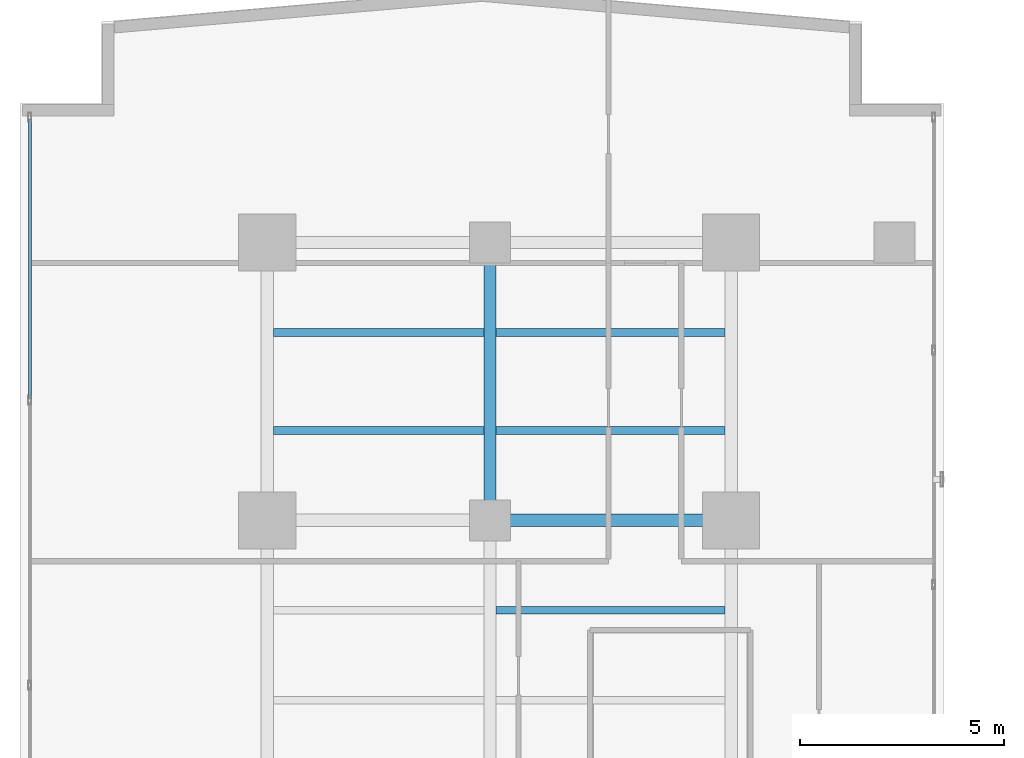
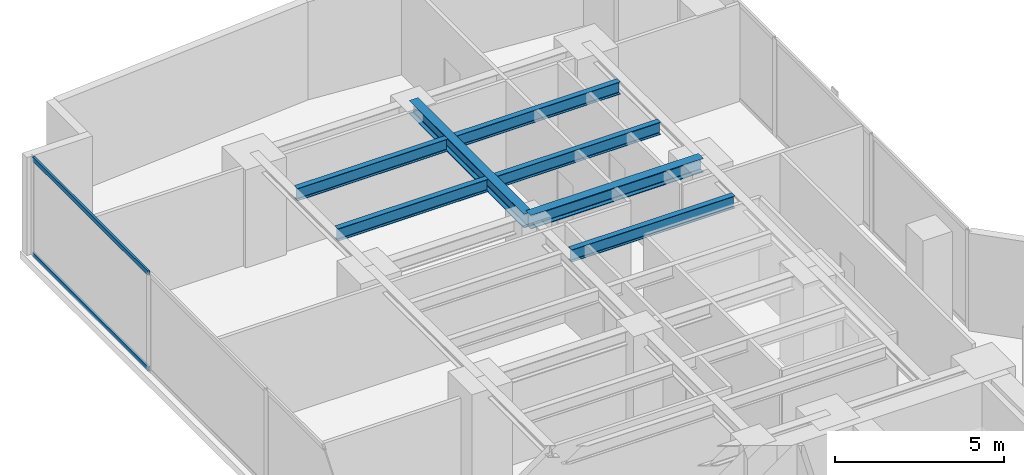
# One storey, part 15 of 26: 7 beams, 2 members, 1 element without a shape of its own.
"""IFC4 building model written with IfcOpenShell, lengths in metres."""

from ifc_helpers import new_model, si_unit, direction, frame, origin, origin_with_axes, origin_2d, place, context, subcontext, project, spatial, hollow_rectangle, i_section, extrude, source, transform, mapped, material, layer, layer_set, material_profile, profile_set, type_object, element, aggregate, save


model = new_model("IFC4")

# Units and contexts
model_context = context("Model", 3, precision=1e-05, world=origin(), true_north=direction((0.0, 1.0)))
body_context = subcontext(model_context, "Body", "Model", "MODEL_VIEW")
ifc_project = project(units=[si_unit("LENGTHUNIT", "METRE"), si_unit("AREAUNIT", "SQUARE_METRE"), si_unit("VOLUMEUNIT", "CUBIC_METRE"), si_unit("PLANEANGLEUNIT", "RADIAN"), si_unit("MASSUNIT", "GRAM", prefix="KILO")], contexts=[model_context])

# Site, building, storey
site_placement = place(None, origin())
site = spatial("IfcSite", under=ifc_project, at=site_placement, CompositionType="ELEMENT")
building_placement = place(site_placement, origin())
building = spatial("IfcBuilding", under=site, at=building_placement, Name="Kolvaren Waterfront Exchange", CompositionType="ELEMENT")
storey_placement = place(building_placement, frame((0.0, 0.0, 122.10009765625)))
storey = spatial("IfcBuildingStorey", under=building, at=storey_placement, Name="L31", CompositionType="ELEMENT", Elevation=122.10009765625)

# Beams
ifc_material_1 = material(Name="Steel S355", Category="steel")
ifc_material_profile_1 = material_profile(ifc_material_1, i_section(OverallWidth=0.300048828125, OverallDepth=0.5, WebThickness=0.014404296875, FlangeThickness=0.028076171875, FilletRadius=0.027099609375, at=origin_2d()), Name="HEB500")
ifc_profile_set_1 = profile_set([ifc_material_profile_1], Name="Steel S355")
beam_type_1 = type_object("IfcBeamType", Name="STR-BM-HEB500", PredefinedType="BEAM", material=ifc_profile_set_1)
beam_1_placement = place(storey_placement, frame((12.89990234375, 37.800048828125, 3.289794921875), z_axis=(1.0, 0.0, 0.0), x_axis=(0.0, 1.0, 0.0)))
element("IfcBeam", 1, at=beam_1_placement, inside=storey, type_object=beam_type_1, Name="L31 north-arm girder 3B", PredefinedType="BEAM", context=body_context, shape_type="SweptSolid", body=[
    extrude(i_section(OverallWidth=0.300048828125, OverallDepth=0.5, WebThickness=0.014404296875, FlangeThickness=0.028076171875, FilletRadius=0.027099609375, at=origin_2d()), origin(), (0.0, 0.0, 1.0), 5.900146484375),
])
beam_2_placement = place(storey_placement, frame((12.89990234375, 37.800048828125, 3.289794921875), z_axis=(0.0, 1.0, 0.0), x_axis=(-1.0, 0.0, 0.0)))
element("IfcBeam", 2, at=beam_2_placement, inside=storey, type_object=beam_type_1, Name="L31 north-arm edge beam 3", PredefinedType="BEAM", context=body_context, shape_type="SweptSolid", body=[
    extrude(i_section(OverallWidth=0.300048828125, OverallDepth=0.5, WebThickness=0.014404296875, FlangeThickness=0.028076171875, FilletRadius=0.027099609375, at=origin_2d()), origin(), (0.0, 0.0, 1.0), 6.800048828125),
])
ifc_material_profile_2 = material_profile(ifc_material_1, i_section(OverallWidth=0.18994140625, OverallDepth=0.449951171875, WebThickness=0.009521484375, FlangeThickness=0.0146484375, FilletRadius=0.02099609375, at=origin_2d()), Name="IPE450")
ifc_profile_set_2 = profile_set([ifc_material_profile_2], Name="Steel S355")
beam_type_2 = type_object("IfcBeamType", Name="STR-BM-IPE450", PredefinedType="JOIST", material=ifc_profile_set_2)
beam_3_placement = place(storey_placement, frame((13.052001953125, 35.60009765625, 3.31494140625), z_axis=(1.0, 0.0, 0.0), x_axis=(0.0, 1.0, 0.0)))
element("IfcBeam", 3, at=beam_3_placement, inside=storey, type_object=beam_type_2, Name="L31 north-arm composite joist 4B", PredefinedType="JOIST", context=body_context, shape_type="SweptSolid", body=[
    extrude(i_section(OverallWidth=0.18994140625, OverallDepth=0.449951171875, WebThickness=0.009521484375, FlangeThickness=0.0146484375, FilletRadius=0.02099609375, at=origin_2d()), origin(), (0.0, 0.0, 1.0), 5.595947265625),
])
beam_4_placement = place(storey_placement, frame((7.60205078125, 40.0, 3.31494140625), z_axis=(1.0, 0.0, 0.0), x_axis=(0.0, 1.0, 0.0)))
element("IfcBeam", 4, at=beam_4_placement, inside=storey, type_object=beam_type_2, Name="L31 north-arm composite joist 5A", PredefinedType="JOIST", context=body_context, shape_type="SweptSolid", body=[
    extrude(i_section(OverallWidth=0.18994140625, OverallDepth=0.449951171875, WebThickness=0.009521484375, FlangeThickness=0.0146484375, FilletRadius=0.02099609375, at=origin_2d()), origin(), (0.0, 0.0, 1.0), 5.14599609375),
])
beam_5_placement = place(storey_placement, frame((13.052001953125, 40.0, 3.31494140625), z_axis=(1.0, 0.0, 0.0), x_axis=(0.0, 1.0, 0.0)))
element("IfcBeam", 5, at=beam_5_placement, inside=storey, type_object=beam_type_2, Name="L31 north-arm composite joist 5B", PredefinedType="JOIST", context=body_context, shape_type="SweptSolid", body=[
    extrude(i_section(OverallWidth=0.18994140625, OverallDepth=0.449951171875, WebThickness=0.009521484375, FlangeThickness=0.0146484375, FilletRadius=0.02099609375, at=origin_2d()), origin(), (0.0, 0.0, 1.0), 5.595947265625),
])
beam_6_placement = place(storey_placement, frame((7.60205078125, 42.39990234375, 3.31494140625), z_axis=(1.0, 0.0, 0.0), x_axis=(0.0, 1.0, 0.0)))
element("IfcBeam", 6, at=beam_6_placement, inside=storey, type_object=beam_type_2, Name="L31 north-arm composite joist 6A", PredefinedType="JOIST", context=body_context, shape_type="SweptSolid", body=[
    extrude(i_section(OverallWidth=0.18994140625, OverallDepth=0.449951171875, WebThickness=0.009521484375, FlangeThickness=0.0146484375, FilletRadius=0.02099609375, at=origin_2d()), origin(), (0.0, 0.0, 1.0), 5.14599609375),
])
beam_7_placement = place(storey_placement, frame((13.052001953125, 42.39990234375, 3.31494140625), z_axis=(1.0, 0.0, 0.0), x_axis=(0.0, 1.0, 0.0)))
element("IfcBeam", 7, at=beam_7_placement, inside=storey, type_object=beam_type_2, Name="L31 north-arm composite joist 6B", PredefinedType="JOIST", context=body_context, shape_type="SweptSolid", body=[
    extrude(i_section(OverallWidth=0.18994140625, OverallDepth=0.449951171875, WebThickness=0.009521484375, FlangeThickness=0.0146484375, FilletRadius=0.02099609375, at=origin_2d()), origin(), (0.0, 0.0, 1.0), 5.595947265625),
])

# Curtain wall, members
ifc_material_2 = material(Name="Anodised aluminium 6063-T6", Category="aluminium")
ifc_layer = layer(ifc_material_2, 0.219970703125, Name="Anodised aluminium 6063-T6")
ifc_layer_set = layer_set([ifc_layer], Name="Anodised aluminium 6063-T6")
curtain_wall_type = type_object("IfcCurtainWallType", Name="ARC-CW-SYS2", PredefinedType="USERDEFINED", material=ifc_layer_set)
curtain_wall_placement = place(storey_placement, origin())
curtain_wall = element("IfcCurtainWall", 8, at=curtain_wall_placement, inside=storey, type_object=curtain_wall_type, Name="L31 stick curtain wall CW2 (CW-L31-W)", ObjectType="STICK CURTAIN WALL", PredefinedType="USERDEFINED")
ifc_material_profile_3 = material_profile(ifc_material_2, hollow_rectangle(XDim=0.074951171875, YDim=0.159912109375, WallThickness=0.00439453125, at=origin_2d()), Name="ALU-TRN-160x75x4.5")
ifc_profile_set_3 = profile_set([ifc_material_profile_3], Name="Anodised aluminium 6063-T6")
member_type = type_object("IfcMemberType", Name="ARC-CWT-160", PredefinedType="USERDEFINED", material=ifc_profile_set_3)
shared_shape = source(origin_with_axes(), body_context, "Body", "SweptSolid", [
    extrude(hollow_rectangle(XDim=0.074951171875, YDim=0.159912109375, WallThickness=0.00439453125, at=origin_2d()), origin(), (0.0, 0.0, 1.0), 6.8466796875),
])
member_1_placement = place(storey_placement, frame((1.639892578125, 40.7734375, 0.037353515625), z_axis=(0.0, 1.0, 0.0), x_axis=(-1.0, 0.0, 0.0)))
member_1 = element("IfcMember", 9, at=member_1_placement, type_object=member_type, Name="CW2 transom 6.1", ObjectType="TRANSOM", PredefinedType="USERDEFINED", context=body_context, shape_type="MappedRepresentation", body=[
    mapped(shared_shape, transform((0.0, 0.0, 0.0), x_axis=(1.0, 0.0, 0.0), y_axis=(0.0, 1.0, 0.0), z_axis=(0.0, 0.0, 1.0), scale=1.0)),
])
member_2_placement = place(storey_placement, frame((1.639892578125, 40.7734375, 3.50244140625), z_axis=(0.0, 1.0, 0.0), x_axis=(-1.0, 0.0, 0.0)))
member_2 = element("IfcMember", 10, at=member_2_placement, type_object=member_type, Name="CW2 transom 6.2", ObjectType="TRANSOM", PredefinedType="USERDEFINED", context=body_context, shape_type="MappedRepresentation", body=[
    mapped(shared_shape, transform((0.0, 0.0, 0.0), x_axis=(1.0, 0.0, 0.0), y_axis=(0.0, 1.0, 0.0), z_axis=(0.0, 0.0, 1.0), scale=1.0)),
])
aggregate(curtain_wall, [member_1, member_2])

save(model, "model.ifc")
